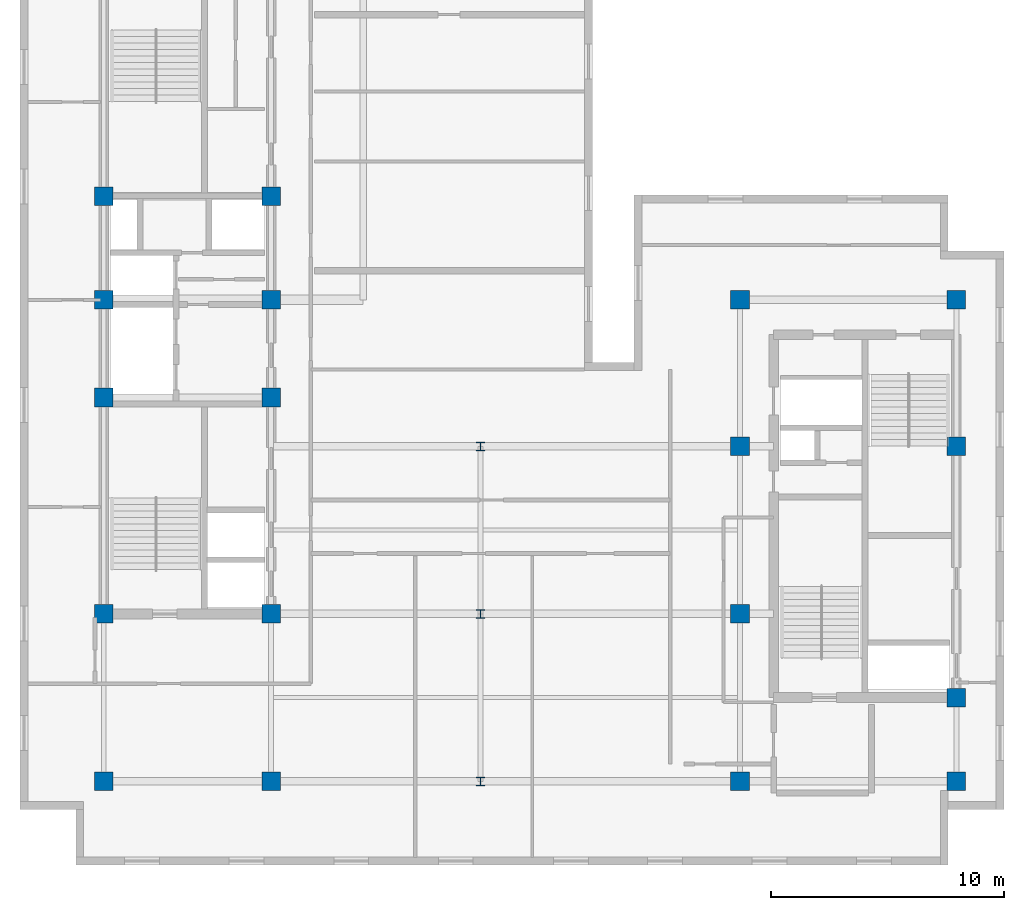
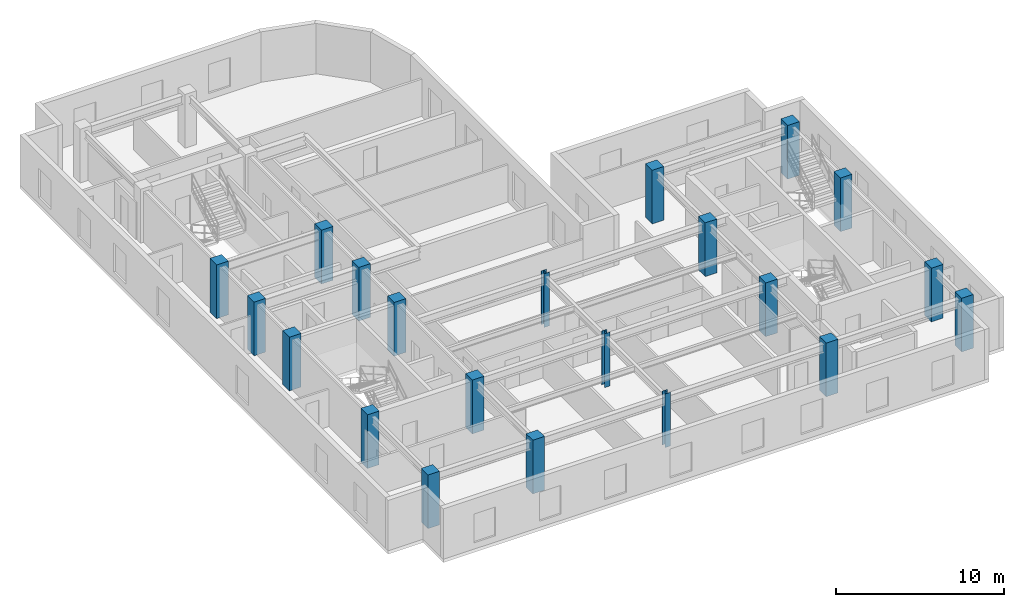
# One storey, part 1 of 10: 21 columns.
"""IFC4 building model written with IfcOpenShell, lengths in metres."""

from ifc_helpers import new_model, entity, si_unit, converted_unit, direction, frame, origin_with_axes, origin_2d_with_axis, place, context, subcontext, project, spatial, rectangle, i_section, extrude, material, material_profile, profile_set, type_object, element, save


model = new_model("IFC4")

# Units and contexts
model_context = context("Model", 3, precision=1e-05, world=origin_with_axes(), true_north=direction((0.0, 1.0)))
body_context = subcontext(model_context, "Body", "Model", "MODEL_VIEW")
ifc_project = project(units=[si_unit("LENGTHUNIT", "METRE"), si_unit("AREAUNIT", "SQUARE_METRE"), si_unit("VOLUMEUNIT", "CUBIC_METRE"), converted_unit("PLANEANGLEUNIT", "DEGREE", entity("IfcPlaneAngleMeasure", 0.017453292519943295), si_unit("PLANEANGLEUNIT", "RADIAN"), dimensions=[0, 0, 0, 0, 0, 0, 0]), si_unit("MASSUNIT", "GRAM", prefix="KILO"), si_unit("THERMODYNAMICTEMPERATUREUNIT", "KELVIN")], contexts=[model_context])

# Site, building, storey
site_placement = place(None, origin_with_axes())
site = spatial("IfcSite", under=ifc_project, at=site_placement, CompositionType="ELEMENT")
building_placement = place(site_placement, origin_with_axes())
building = spatial("IfcBuilding", under=site, at=building_placement, Name="Varnlund Millrace Tower", CompositionType="ELEMENT")
storey_placement = place(building_placement, frame((0.0, 0.0, 276.3), z_axis=(0.0, 0.0, 1.0), x_axis=(1.0, 0.0, 0.0)))
storey = spatial("IfcBuildingStorey", under=building, at=storey_placement, Name="L68", CompositionType="ELEMENT", Elevation=276.3)

# Columns
ifc_material_1 = material(Name="Steel ASTM A992 Grade 50", Category="steel")
ifc_material_profile_1 = material_profile(ifc_material_1, i_section(OverallWidth=0.369, OverallDepth=0.356, WebThickness=0.0112, FlangeThickness=0.018, FilletRadius=0.018, at=origin_2d_with_axis()), Name="Steel ASTM A992 Grade 50")
ifc_profile_set_1 = profile_set([ifc_material_profile_1], Name="Steel ASTM A992 Grade 50")
column_type_1 = type_object("IfcColumnType", Name="Type-Col-Int-W14X90", PredefinedType="COLUMN", material=ifc_profile_set_1)
for number, where, z_axis, x_axis, name in (
    (1, (27.6, 3.6, 0.0), (0.0, 0.0, 1.0), (1.0, 0.0, 0.0), "Type-Col-Int-W14X90"),
    (2, (27.6, 10.8, 0.0), (0.0, 0.0, 1.0), (1.0, 0.0, 0.0), "Type-Col-Int-W14X90"),
    (3, (27.6, 18.0, 0.0), (0.0, 0.0, 1.0), (1.0, 0.0, 0.0), "Type-Col-Int-W14X90"),
):
    element("IfcColumn", number, at=place(storey_placement, frame(where, z_axis=z_axis, x_axis=x_axis)), inside=storey, type_object=column_type_1, Name=name, PredefinedType="COLUMN", context=body_context, shape_type="SweptSolid", body=[
        extrude(i_section(OverallWidth=0.369, OverallDepth=0.356, WebThickness=0.0112, FlangeThickness=0.018, FilletRadius=0.018, at=origin_2d_with_axis()), origin_with_axes(), (0.0, 0.0, 1.0), 3.9),
    ])
ifc_material_2 = material(Name="Concrete C60/75", Category="concrete")
ifc_material_profile_2 = material_profile(ifc_material_2, rectangle(XDim=0.8, YDim=0.8, at=origin_2d_with_axis()), Name="Concrete C60/75")
ifc_profile_set_2 = profile_set([ifc_material_profile_2], Name="Concrete C60/75")
column_type_2 = type_object("IfcColumnType", Name="Type-Col-RC800-C60", PredefinedType="COLUMN", material=ifc_profile_set_2)
for number, where, z_axis, x_axis, name in (
    (4, (11.4, 3.6, 0.0), (0.0, 0.0, 1.0), (1.0, 0.0, 0.0), "Type-Col-RC800-C60"),
    (5, (11.4, 10.8, 0.0), (0.0, 0.0, 1.0), (1.0, 0.0, 0.0), "Type-Col-RC800-C60"),
    (6, (11.4, 20.1, 0.0), (0.0, 0.0, 1.0), (1.0, 0.0, 0.0), "Type-Col-RC800-C60"),
    (7, (11.4, 24.3, 0.0), (0.0, 0.0, 1.0), (1.0, 0.0, 0.0), "Type-Col-RC800-C60"),
    (8, (11.4, 28.75, 0.0), (0.0, 0.0, 1.0), (1.0, 0.0, 0.0), "Type-Col-RC800-C60"),
    (9, (18.6, 3.6, 0.0), (0.0, 0.0, 1.0), (1.0, 0.0, 0.0), "Type-Col-RC800-C60"),
    (10, (18.6, 10.8, 0.0), (0.0, 0.0, 1.0), (1.0, 0.0, 0.0), "Type-Col-RC800-C60"),
    (11, (18.6, 20.1, 0.0), (0.0, 0.0, 1.0), (1.0, 0.0, 0.0), "Type-Col-RC800-C60"),
    (12, (18.6, 24.3, 0.0), (0.0, 0.0, 1.0), (1.0, 0.0, 0.0), "Type-Col-RC800-C60"),
    (13, (18.6, 28.75, 0.0), (0.0, 0.0, 1.0), (1.0, 0.0, 0.0), "Type-Col-RC800-C60"),
    (14, (38.75, 3.6, 0.0), (0.0, 0.0, 1.0), (1.0, 0.0, 0.0), "Type-Col-RC800-C60"),
    (15, (38.75, 10.8, 0.0), (0.0, 0.0, 1.0), (1.0, 0.0, 0.0), "Type-Col-RC800-C60"),
    (16, (38.75, 18.0, 0.0), (0.0, 0.0, 1.0), (1.0, 0.0, 0.0), "Type-Col-RC800-C60"),
    (17, (38.75, 24.3, 0.0), (0.0, 0.0, 1.0), (1.0, 0.0, 0.0), "Type-Col-RC800-C60"),
    (18, (48.05, 3.6, 0.0), (0.0, 0.0, 1.0), (1.0, 0.0, 0.0), "Type-Col-RC800-C60"),
    (19, (48.05, 7.2, 0.0), (0.0, 0.0, 1.0), (1.0, 0.0, 0.0), "Type-Col-RC800-C60"),
    (20, (48.05, 18.0, 0.0), (0.0, 0.0, 1.0), (1.0, 0.0, 0.0), "Type-Col-RC800-C60"),
    (21, (48.05, 24.3, 0.0), (0.0, 0.0, 1.0), (1.0, 0.0, 0.0), "Type-Col-RC800-C60"),
):
    element("IfcColumn", number, at=place(storey_placement, frame(where, z_axis=z_axis, x_axis=x_axis)), inside=storey, type_object=column_type_2, Name=name, PredefinedType="COLUMN", context=body_context, shape_type="SweptSolid", body=[
        extrude(rectangle(XDim=0.8, YDim=0.8, at=origin_2d_with_axis()), origin_with_axes(), (0.0, 0.0, 1.0), 3.9),
    ])

save(model, "model.ifc")
